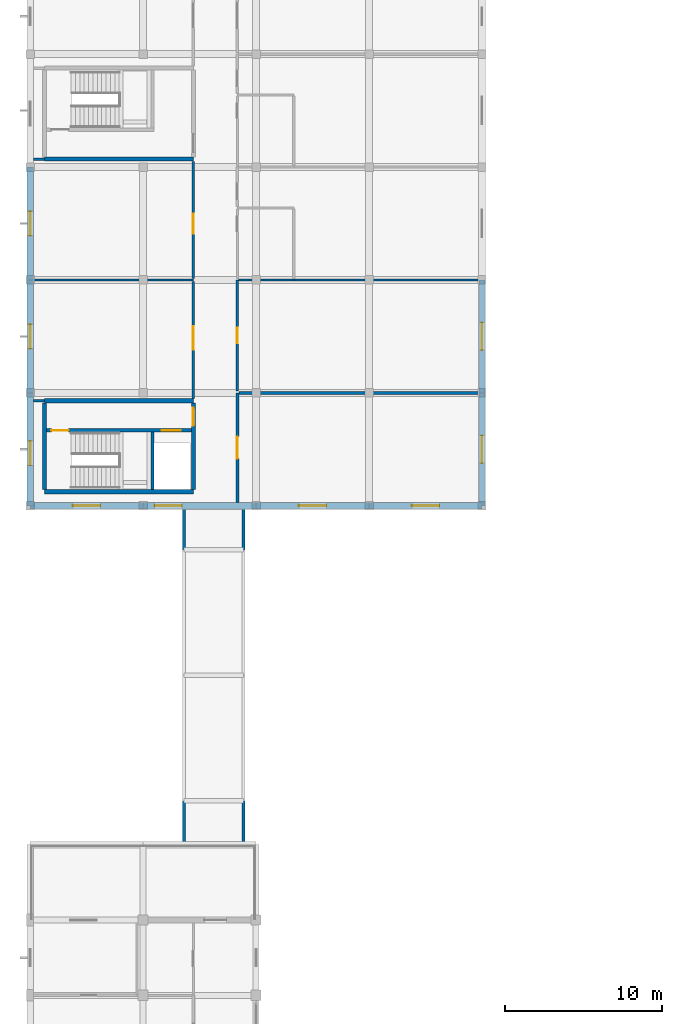
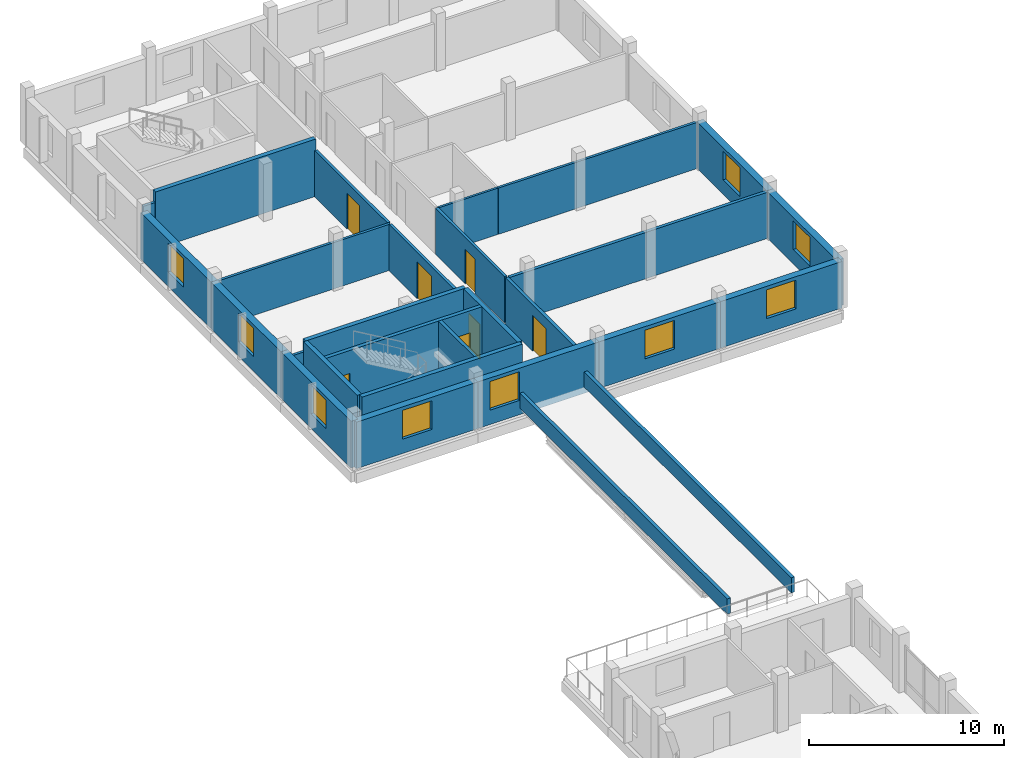
# One storey, part 78 of 93: 28 walls, 9 windows, 7 doors, 16 openings.
"""IFC4 building model written with IfcOpenShell, lengths in metres."""

from ifc_helpers import new_model, si_unit, direction, frame, frame_2d, origin, place, context, subcontext, project, spatial, rectangle, extrude, material, layer, layer_set, type_object, element, fill, save


model = new_model("IFC4")

# Units and contexts
model_context = context("Model", 3, precision=1e-05, world=origin(), true_north=direction((0.0, 1.0)))
body_context = subcontext(model_context, "Body", "Model", "MODEL_VIEW")
ifc_project = project(units=[si_unit("LENGTHUNIT", "METRE"), si_unit("AREAUNIT", "SQUARE_METRE"), si_unit("VOLUMEUNIT", "CUBIC_METRE"), si_unit("PLANEANGLEUNIT", "RADIAN"), si_unit("MASSUNIT", "GRAM", prefix="KILO")], contexts=[model_context])

# Site, building, storey
site_placement = place(None, origin())
site = spatial("IfcSite", under=ifc_project, at=site_placement, CompositionType="ELEMENT")
building_placement = place(site_placement, origin())
building = spatial("IfcBuilding", under=site, at=building_placement, Name="Zornivar Specialist Clinic", CompositionType="ELEMENT")
storey_placement = place(building_placement, frame((0.0, 0.0, 8.39990234375)))
storey = spatial("IfcBuildingStorey", under=building, at=storey_placement, Name="L02", CompositionType="ELEMENT", Elevation=8.39990234375)

# Wall, opening, window
ifc_material_1 = material(Name="Masonry Hygienic Insulated Procedure Wing Wall", Category="masonry")
ifc_layer_1 = layer(ifc_material_1, 0.39990234375)
ifc_layer_set_1 = layer_set([ifc_layer_1], Name="Masonry Hygienic Insulated Procedure Wing Wall")
wall_type_1 = type_object("IfcWallType", Name="EW-PROC-400", PredefinedType="SOLIDWALL", material=ifc_layer_set_1)
wall_1_placement = place(storey_placement, frame((0.0, 79.199951171875, 0.0), z_axis=(0.0, 0.0, 1.0), x_axis=(1.0, 0.0, 0.0)))
wall_1 = element("IfcWall", 1, at=wall_1_placement, inside=storey, type_object=wall_type_1, Name="ew:V5:L02:00", PredefinedType="SOLIDWALL", context=body_context, shape_type="SweptSolid", body=[
    extrude(rectangle(XDim=7.199951171875, YDim=0.39990234375, at=frame_2d((3.60009765625, 0.0))), origin(), (0.0, 0.0, 1.0), 2.920166015625),
])
opening_1_placement = place(wall_1_placement, frame((2.72509765625, 0.0, 0.89990234375)))
opening_1 = element("IfcOpeningElement", 2, at=opening_1_placement, cuts=wall_1, Name="Opening W-17", PredefinedType="OPENING", context=body_context, shape_type="SweptSolid", body=[
    extrude(rectangle(XDim=1.75, YDim=1.800048828125, at=frame_2d((0.875, 0.89990234375))), frame((0.0, 0.2099609375, 0.0), z_axis=(0.0, -1.0, 0.0), x_axis=(1.0, 0.0, 0.0)), (0.0, 0.0, 1.0), 0.419921875),
])
ifc_material_2 = material(Name="Triple-Glazed Aluminium-Timber Window Glass", Category="wood")
window_type_1 = type_object("IfcWindowType", Name="WIN-PROC-COURT-1750x1800", PartitioningType="SINGLE_PANEL", PredefinedType="WINDOW", material=ifc_material_2)
window_1_placement = place(opening_1_placement, origin())
window_1 = element("IfcWindow", 3, at=window_1_placement, inside=storey, type_object=window_type_1, Name="win:V5:L02:00", OverallHeight=1.800048828125, OverallWidth=1.75, PartitioningType="SINGLE_PANEL", PredefinedType="WINDOW", context=body_context, shape_type="SweptSolid", body=[
    extrude(rectangle(XDim=1.75, YDim=1.800048828125, at=frame_2d((0.875, 0.89990234375))), frame((0.0, 0.030029296875, 0.0), z_axis=(0.0, -1.0, 0.0), x_axis=(1.0, 0.0, 0.0)), (0.0, 0.0, 1.0), 0.06005859375),
])
fill(opening_1, window_1)

wall_2_placement = place(storey_placement, frame((7.199951171875, 79.199951171875, 0.0), z_axis=(0.0, 0.0, 1.0), x_axis=(1.0, 0.0, 0.0)))
wall_2 = element("IfcWall", 4, at=wall_2_placement, inside=storey, type_object=wall_type_1, Name="ew:V5:L02:01", PredefinedType="SOLIDWALL", context=body_context, shape_type="SweptSolid", body=[
    extrude(rectangle(XDim=7.199951171875, YDim=0.39990234375, at=frame_2d((3.60009765625, 0.0))), origin(), (0.0, 0.0, 1.0), 2.920166015625),
])
opening_2_placement = place(wall_2_placement, frame((0.72509765625, 0.0, 0.89990234375)))
opening_2 = element("IfcOpeningElement", 5, at=opening_2_placement, cuts=wall_2, Name="Opening W-17", PredefinedType="OPENING", context=body_context, shape_type="SweptSolid", body=[
    extrude(rectangle(XDim=1.75, YDim=1.800048828125, at=frame_2d((0.875, 0.89990234375))), frame((0.0, 0.2099609375, 0.0), z_axis=(0.0, -1.0, 0.0), x_axis=(1.0, 0.0, 0.0)), (0.0, 0.0, 1.0), 0.419921875),
])
window_2_placement = place(opening_2_placement, origin())
window_2 = element("IfcWindow", 6, at=window_2_placement, inside=storey, type_object=window_type_1, Name="win:V5:L02:01", OverallHeight=1.800048828125, OverallWidth=1.75, PartitioningType="SINGLE_PANEL", PredefinedType="WINDOW", context=body_context, shape_type="SweptSolid", body=[
    extrude(rectangle(XDim=1.75, YDim=1.800048828125, at=frame_2d((0.875, 0.89990234375))), frame((0.0, 0.030029296875, 0.0), z_axis=(0.0, -1.0, 0.0), x_axis=(1.0, 0.0, 0.0)), (0.0, 0.0, 1.0), 0.06005859375),
])
fill(opening_2, window_2)

wall_3_placement = place(storey_placement, frame((14.39990234375, 79.199951171875, 0.0), z_axis=(0.0, 0.0, 1.0), x_axis=(1.0, 0.0, 0.0)))
wall_3 = element("IfcWall", 7, at=wall_3_placement, inside=storey, type_object=wall_type_1, Name="ew:V5:L02:02", PredefinedType="SOLIDWALL", context=body_context, shape_type="SweptSolid", body=[
    extrude(rectangle(XDim=7.2001953125, YDim=0.39990234375, at=frame_2d((3.60009765625, 0.0))), origin(), (0.0, 0.0, 1.0), 2.920166015625),
])
opening_3_placement = place(wall_3_placement, frame((2.72509765625, 0.0, 0.89990234375)))
opening_3 = element("IfcOpeningElement", 8, at=opening_3_placement, cuts=wall_3, Name="Opening W-17", PredefinedType="OPENING", context=body_context, shape_type="SweptSolid", body=[
    extrude(rectangle(XDim=1.75, YDim=1.800048828125, at=frame_2d((0.875, 0.89990234375))), frame((0.0, 0.2099609375, 0.0), z_axis=(0.0, -1.0, 0.0), x_axis=(1.0, 0.0, 0.0)), (0.0, 0.0, 1.0), 0.419921875),
])
window_3_placement = place(opening_3_placement, origin())
window_3 = element("IfcWindow", 9, at=window_3_placement, inside=storey, type_object=window_type_1, Name="win:V5:L02:02", OverallHeight=1.800048828125, OverallWidth=1.75, PartitioningType="SINGLE_PANEL", PredefinedType="WINDOW", context=body_context, shape_type="SweptSolid", body=[
    extrude(rectangle(XDim=1.75, YDim=1.800048828125, at=frame_2d((0.875, 0.89990234375))), frame((0.0, 0.030029296875, 0.0), z_axis=(0.0, -1.0, 0.0), x_axis=(1.0, 0.0, 0.0)), (0.0, 0.0, 1.0), 0.06005859375),
])
fill(opening_3, window_3)

wall_4_placement = place(storey_placement, frame((21.60009765625, 79.199951171875, 0.0), z_axis=(0.0, 0.0, 1.0), x_axis=(1.0, 0.0, 0.0)))
wall_4 = element("IfcWall", 10, at=wall_4_placement, inside=storey, type_object=wall_type_1, Name="ew:V5:L02:03", PredefinedType="SOLIDWALL", context=body_context, shape_type="SweptSolid", body=[
    extrude(rectangle(XDim=7.199951171875, YDim=0.39990234375, at=frame_2d((3.60009765625, 0.0))), origin(), (0.0, 0.0, 1.0), 2.920166015625),
])
opening_4_placement = place(wall_4_placement, frame((2.72509765625, 0.0, 0.89990234375)))
opening_4 = element("IfcOpeningElement", 11, at=opening_4_placement, cuts=wall_4, Name="Opening W-17", PredefinedType="OPENING", context=body_context, shape_type="SweptSolid", body=[
    extrude(rectangle(XDim=1.75, YDim=1.800048828125, at=frame_2d((0.875, 0.89990234375))), frame((0.0, 0.2099609375, 0.0), z_axis=(0.0, -1.0, 0.0), x_axis=(1.0, 0.0, 0.0)), (0.0, 0.0, 1.0), 0.419921875),
])
window_4_placement = place(opening_4_placement, origin())
window_4 = element("IfcWindow", 12, at=window_4_placement, inside=storey, type_object=window_type_1, Name="win:V5:L02:03", OverallHeight=1.800048828125, OverallWidth=1.75, PartitioningType="SINGLE_PANEL", PredefinedType="WINDOW", context=body_context, shape_type="SweptSolid", body=[
    extrude(rectangle(XDim=1.75, YDim=1.800048828125, at=frame_2d((0.875, 0.89990234375))), frame((0.0, 0.030029296875, 0.0), z_axis=(0.0, -1.0, 0.0), x_axis=(1.0, 0.0, 0.0)), (0.0, 0.0, 1.0), 0.06005859375),
])
fill(opening_4, window_4)

wall_5_placement = place(storey_placement, frame((28.800048828125, 79.199951171875, 0.0), z_axis=(0.0, 0.0, 1.0), x_axis=(0.0, 1.0, 0.0)))
wall_5 = element("IfcWall", 13, at=wall_5_placement, inside=storey, type_object=wall_type_1, Name="ew:V5:L02:04", PredefinedType="SOLIDWALL", context=body_context, shape_type="SweptSolid", body=[
    extrude(rectangle(XDim=7.199951171875, YDim=0.39990234375, at=frame_2d((3.60009765625, 0.0))), origin(), (0.0, 0.0, 1.0), 2.920166015625),
])
opening_5_placement = place(wall_5_placement, frame((2.72509765625, 0.0, 0.89990234375)))
opening_5 = element("IfcOpeningElement", 14, at=opening_5_placement, cuts=wall_5, Name="Opening W-17", PredefinedType="OPENING", context=body_context, shape_type="SweptSolid", body=[
    extrude(rectangle(XDim=1.75, YDim=1.800048828125, at=frame_2d((0.875, 0.89990234375))), frame((0.0, 0.2099609375, 0.0), z_axis=(0.0, -1.0, 0.0), x_axis=(1.0, 0.0, 0.0)), (0.0, 0.0, 1.0), 0.419921875),
])
window_5_placement = place(opening_5_placement, origin())
window_5 = element("IfcWindow", 15, at=window_5_placement, inside=storey, type_object=window_type_1, Name="win:V5:L02:04", OverallHeight=1.800048828125, OverallWidth=1.75, PartitioningType="SINGLE_PANEL", PredefinedType="WINDOW", context=body_context, shape_type="SweptSolid", body=[
    extrude(rectangle(XDim=1.75, YDim=1.800048828125, at=frame_2d((0.875, 0.89990234375))), frame((0.0, 0.030029296875, 0.0), z_axis=(0.0, -1.0, 0.0), x_axis=(1.0, 0.0, 0.0)), (0.0, 0.0, 1.0), 0.06005859375),
])
fill(opening_5, window_5)

wall_6_placement = place(storey_placement, frame((28.800048828125, 86.39990234375, 0.0), z_axis=(0.0, 0.0, 1.0), x_axis=(0.0, 1.0, 0.0)))
wall_6 = element("IfcWall", 16, at=wall_6_placement, inside=storey, type_object=wall_type_1, Name="ew:V5:L02:05", PredefinedType="SOLIDWALL", context=body_context, shape_type="SweptSolid", body=[
    extrude(rectangle(XDim=7.2001953125, YDim=0.39990234375, at=frame_2d((3.60009765625, 0.0))), origin(), (0.0, 0.0, 1.0), 2.920166015625),
])
opening_6_placement = place(wall_6_placement, frame((2.72509765625, 0.0, 0.89990234375)))
opening_6 = element("IfcOpeningElement", 17, at=opening_6_placement, cuts=wall_6, Name="Opening W-17", PredefinedType="OPENING", context=body_context, shape_type="SweptSolid", body=[
    extrude(rectangle(XDim=1.75, YDim=1.800048828125, at=frame_2d((0.875, 0.89990234375))), frame((0.0, 0.2099609375, 0.0), z_axis=(0.0, -1.0, 0.0), x_axis=(1.0, 0.0, 0.0)), (0.0, 0.0, 1.0), 0.419921875),
])
window_6_placement = place(opening_6_placement, origin())
window_6 = element("IfcWindow", 18, at=window_6_placement, inside=storey, type_object=window_type_1, Name="win:V5:L02:05", OverallHeight=1.800048828125, OverallWidth=1.75, PartitioningType="SINGLE_PANEL", PredefinedType="WINDOW", context=body_context, shape_type="SweptSolid", body=[
    extrude(rectangle(XDim=1.75, YDim=1.800048828125, at=frame_2d((0.875, 0.89990234375))), frame((0.0, 0.030029296875, 0.0), z_axis=(0.0, -1.0, 0.0), x_axis=(1.0, 0.0, 0.0)), (0.0, 0.0, 1.0), 0.06005859375),
])
fill(opening_6, window_6)

wall_7_placement = place(storey_placement, frame((0.0, 100.800048828125, 0.0), z_axis=(0.0, 0.0, 1.0), x_axis=(0.0, -1.0, 0.0)))
wall_7 = element("IfcWall", 19, at=wall_7_placement, inside=storey, type_object=wall_type_1, Name="ew:V5:L02:15", PredefinedType="SOLIDWALL", context=body_context, shape_type="SweptSolid", body=[
    extrude(rectangle(XDim=7.199951171875, YDim=0.39990234375, at=frame_2d((3.60009765625, 0.0))), origin(), (0.0, 0.0, 1.0), 2.920166015625),
])
opening_7_placement = place(wall_7_placement, frame((2.824951171875, 0.0, 0.89990234375)))
opening_7 = element("IfcOpeningElement", 20, at=opening_7_placement, cuts=wall_7, Name="Opening W-16", PredefinedType="OPENING", context=body_context, shape_type="SweptSolid", body=[
    extrude(rectangle(XDim=1.550048828125, YDim=1.800048828125, at=frame_2d((0.77490234375, 0.89990234375))), frame((0.0, 0.2099609375, 0.0), z_axis=(0.0, -1.0, 0.0), x_axis=(1.0, 0.0, 0.0)), (0.0, 0.0, 1.0), 0.419921875),
])
ifc_material_3 = material(Name="Triple-Glazed Aluminium-Timber Window Glass", Category="wood")
window_type_2 = type_object("IfcWindowType", Name="WIN-PROC-WEST-1550x1800", PartitioningType="SINGLE_PANEL", PredefinedType="WINDOW", material=ifc_material_3)
window_7_placement = place(opening_7_placement, origin())
window_7 = element("IfcWindow", 21, at=window_7_placement, inside=storey, type_object=window_type_2, Name="win:V5:L02:15", OverallHeight=1.800048828125, OverallWidth=1.550048828125, PartitioningType="SINGLE_PANEL", PredefinedType="WINDOW", context=body_context, shape_type="SweptSolid", body=[
    extrude(rectangle(XDim=1.550048828125, YDim=1.800048828125, at=frame_2d((0.77490234375, 0.89990234375))), frame((0.0, 0.030029296875, 0.0), z_axis=(0.0, -1.0, 0.0), x_axis=(1.0, 0.0, 0.0)), (0.0, 0.0, 1.0), 0.06005859375),
])
fill(opening_7, window_7)

wall_8_placement = place(storey_placement, frame((0.0, 93.60009765625, 0.0), z_axis=(0.0, 0.0, 1.0), x_axis=(0.0, -1.0, 0.0)))
wall_8 = element("IfcWall", 22, at=wall_8_placement, inside=storey, type_object=wall_type_1, Name="ew:V5:L02:16", PredefinedType="SOLIDWALL", context=body_context, shape_type="SweptSolid", body=[
    extrude(rectangle(XDim=7.2001953125, YDim=0.39990234375, at=frame_2d((3.60009765625, 0.0))), origin(), (0.0, 0.0, 1.0), 2.920166015625),
])
opening_8_placement = place(wall_8_placement, frame((2.824951171875, 0.0, 0.89990234375)))
opening_8 = element("IfcOpeningElement", 23, at=opening_8_placement, cuts=wall_8, Name="Opening W-16", PredefinedType="OPENING", context=body_context, shape_type="SweptSolid", body=[
    extrude(rectangle(XDim=1.550048828125, YDim=1.800048828125, at=frame_2d((0.77490234375, 0.89990234375))), frame((0.0, 0.2099609375, 0.0), z_axis=(0.0, -1.0, 0.0), x_axis=(1.0, 0.0, 0.0)), (0.0, 0.0, 1.0), 0.419921875),
])
window_8_placement = place(opening_8_placement, origin())
window_8 = element("IfcWindow", 24, at=window_8_placement, inside=storey, type_object=window_type_2, Name="win:V5:L02:16", OverallHeight=1.800048828125, OverallWidth=1.550048828125, PartitioningType="SINGLE_PANEL", PredefinedType="WINDOW", context=body_context, shape_type="SweptSolid", body=[
    extrude(rectangle(XDim=1.550048828125, YDim=1.800048828125, at=frame_2d((0.77490234375, 0.89990234375))), frame((0.0, 0.030029296875, 0.0), z_axis=(0.0, -1.0, 0.0), x_axis=(1.0, 0.0, 0.0)), (0.0, 0.0, 1.0), 0.06005859375),
])
fill(opening_8, window_8)

wall_9_placement = place(storey_placement, frame((0.0, 86.39990234375, 0.0), z_axis=(0.0, 0.0, 1.0), x_axis=(0.0, -1.0, 0.0)))
wall_9 = element("IfcWall", 25, at=wall_9_placement, inside=storey, type_object=wall_type_1, Name="ew:V5:L02:17", PredefinedType="SOLIDWALL", context=body_context, shape_type="SweptSolid", body=[
    extrude(rectangle(XDim=7.199951171875, YDim=0.39990234375, at=frame_2d((3.60009765625, 0.0))), origin(), (0.0, 0.0, 1.0), 2.920166015625),
])
opening_9_placement = place(wall_9_placement, frame((3.074951171875, 0.0, 0.89990234375)))
opening_9 = element("IfcOpeningElement", 26, at=opening_9_placement, cuts=wall_9, Name="Opening W-16", PredefinedType="OPENING", context=body_context, shape_type="SweptSolid", body=[
    extrude(rectangle(XDim=1.550048828125, YDim=1.800048828125, at=frame_2d((0.77490234375, 0.89990234375))), frame((0.0, 0.2099609375, 0.0), z_axis=(0.0, -1.0, 0.0), x_axis=(1.0, 0.0, 0.0)), (0.0, 0.0, 1.0), 0.419921875),
])
window_9_placement = place(opening_9_placement, origin())
window_9 = element("IfcWindow", 27, at=window_9_placement, inside=storey, type_object=window_type_2, Name="win:V5:L02:17", OverallHeight=1.800048828125, OverallWidth=1.550048828125, PartitioningType="SINGLE_PANEL", PredefinedType="WINDOW", context=body_context, shape_type="SweptSolid", body=[
    extrude(rectangle(XDim=1.550048828125, YDim=1.800048828125, at=frame_2d((0.77490234375, 0.89990234375))), frame((0.0, 0.030029296875, 0.0), z_axis=(0.0, -1.0, 0.0), x_axis=(1.0, 0.0, 0.0)), (0.0, 0.0, 1.0), 0.06005859375),
])
fill(opening_9, window_9)

# Wall, opening, door
ifc_material_4 = material(Name="Gypsum Fire-Rated Double Stud Partition")
ifc_layer_2 = layer(ifc_material_4, 0.159912109375)
ifc_layer_set_2 = layer_set([ifc_layer_2], Name="Gypsum Fire-Rated Double Stud Partition")
wall_type_2 = type_object("IfcWallType", Name="IW-CORR-EI60-160", PredefinedType="PARTITIONING", material=ifc_layer_set_2)
wall_10_placement = place(storey_placement, frame((10.39990234375, 93.510986328125, 0.0), z_axis=(0.0, 0.0, 1.0), x_axis=(0.0, -1.0, 0.0)))
wall_10 = element("IfcWall", 28, at=wall_10_placement, inside=storey, type_object=wall_type_2, Name="iw:L02:110", PredefinedType="PARTITIONING", context=body_context, shape_type="SweptSolid", body=[
    extrude(rectangle(XDim=7.466064453125, YDim=0.159912109375, at=frame_2d((3.73291015625, 0.0))), origin(), (0.0, 0.0, 1.0), 2.900146484375),
])
opening_10_placement = place(wall_10_placement, frame((2.864013671875, 0.0, 0.0)))
opening_10 = element("IfcOpeningElement", 29, at=opening_10_placement, cuts=wall_10, Name="Opening ID-01", PredefinedType="OPENING", context=body_context, shape_type="SweptSolid", body=[
    extrude(rectangle(XDim=1.5, YDim=2.300048828125, at=frame_2d((0.75, 1.14990234375))), frame((0.0, 0.08984375, 0.0), z_axis=(0.0, -1.0, 0.0), x_axis=(1.0, 0.0, 0.0)), (0.0, 0.0, 1.0), 0.179931640625),
])
ifc_material_5 = material(Name="Solid-Core Hygienic Laminate Timber Door", Category="wood")
door_type_1 = type_object("IfcDoorType", Name="ID-OR-SUITE-1500x2300", OperationType="NOTDEFINED", PredefinedType="DOOR", material=ifc_material_5)
door_1_placement = place(opening_10_placement, origin())
door_1 = element("IfcDoor", 30, at=door_1_placement, inside=storey, type_object=door_type_1, Name="door:space:V5:L02:rm:00", OperationType="DOUBLE_DOOR_SINGLE_SWING", OverallHeight=2.300048828125, OverallWidth=1.5, PredefinedType="DOOR", context=body_context, shape_type="SweptSolid", body=[
    extrude(rectangle(XDim=1.5, YDim=2.300048828125, at=frame_2d((0.75, 1.14990234375))), frame((0.0, 0.02490234375, 0.0), z_axis=(0.0, -1.0, 0.0), x_axis=(1.0, 0.0, 0.0)), (0.0, 0.0, 1.0), 0.050048828125),
])
fill(opening_10, door_1)

wall_11_placement = place(storey_placement, frame((10.39990234375, 101.155029296875, 0.0), z_axis=(0.0, 0.0, 1.0), x_axis=(0.0, -1.0, 0.0)))
wall_11 = element("IfcWall", 31, at=wall_11_placement, inside=storey, type_object=wall_type_2, Name="iw:L02:113", PredefinedType="PARTITIONING", context=body_context, shape_type="SweptSolid", body=[
    extrude(rectangle(XDim=7.466064453125, YDim=0.159912109375, at=frame_2d((3.73291015625, 0.0))), origin(), (0.0, 0.0, 1.0), 2.900146484375),
])
opening_11_placement = place(wall_11_placement, frame((3.320068359375, 0.0, 0.0)))
opening_11 = element("IfcOpeningElement", 32, at=opening_11_placement, cuts=wall_11, Name="Opening ID-13", PredefinedType="OPENING", context=body_context, shape_type="SweptSolid", body=[
    extrude(rectangle(XDim=1.300048828125, YDim=2.25, at=frame_2d((0.64990234375, 1.125))), frame((0.0, 0.08984375, 0.0), z_axis=(0.0, -1.0, 0.0), x_axis=(1.0, 0.0, 0.0)), (0.0, 0.0, 1.0), 0.179931640625),
])
ifc_material_6 = material(Name="Solid-Core Hygienic Laminate Timber Door", Category="wood")
door_type_2 = type_object("IfcDoorType", Name="ID-RECOV-1300x2250", OperationType="NOTDEFINED", PredefinedType="DOOR", material=ifc_material_6)
door_2_placement = place(opening_11_placement, origin())
door_2 = element("IfcDoor", 33, at=door_2_placement, inside=storey, type_object=door_type_2, Name="door:space:V5:L02:rm:01", OperationType="SINGLE_SWING_LEFT", OverallHeight=2.25, OverallWidth=1.300048828125, PredefinedType="DOOR", context=body_context, shape_type="SweptSolid", body=[
    extrude(rectangle(XDim=1.300048828125, YDim=2.25, at=frame_2d((0.64990234375, 1.125))), frame((0.0, 0.02490234375, 0.0), z_axis=(0.0, -1.0, 0.0), x_axis=(1.0, 0.0, 0.0)), (0.0, 0.0, 1.0), 0.050048828125),
])
fill(opening_11, door_2)

wall_12_placement = place(storey_placement, frame((13.199951171875, 86.509033203125, 0.0), z_axis=(0.0, 0.0, 1.0), x_axis=(0.0, 1.0, 0.0)))
wall_12 = element("IfcWall", 34, at=wall_12_placement, inside=storey, type_object=wall_type_2, Name="iw:L02:118", PredefinedType="PARTITIONING", context=body_context, shape_type="SweptSolid", body=[
    extrude(rectangle(XDim=7.091064453125, YDim=0.159912109375, at=frame_2d((3.54541015625, 0.0))), origin(), (0.0, 0.0, 1.0), 2.900146484375),
])
opening_12_placement = place(wall_12_placement, frame((3.054931640625, 0.0, 0.0)))
opening_12 = element("IfcOpeningElement", 35, at=opening_12_placement, cuts=wall_12, Name="Opening ID-09", PredefinedType="OPENING", context=body_context, shape_type="SweptSolid", body=[
    extrude(rectangle(XDim=0.97998046875, YDim=2.14990234375, at=frame_2d((0.489990234375, 1.074951171875))), frame((0.0, 0.08984375, 0.0), z_axis=(0.0, -1.0, 0.0), x_axis=(1.0, 0.0, 0.0)), (0.0, 0.0, 1.0), 0.179931640625),
])
ifc_material_7 = material(Name="Solid-Core Hygienic Laminate Timber Door", Category="wood")
door_type_3 = type_object("IfcDoorType", Name="ID-STAFF-0980x2150", OperationType="NOTDEFINED", PredefinedType="DOOR", material=ifc_material_7)
door_3_placement = place(opening_12_placement, origin())
door_3 = element("IfcDoor", 36, at=door_3_placement, inside=storey, type_object=door_type_3, Name="door:space:V5:L02:rm:04", OperationType="SINGLE_SWING_RIGHT", OverallHeight=2.14990234375, OverallWidth=0.97998046875, PredefinedType="DOOR", context=body_context, shape_type="SweptSolid", body=[
    extrude(rectangle(XDim=0.97998046875, YDim=2.14990234375, at=frame_2d((0.489990234375, 1.074951171875))), frame((0.0, 0.02490234375, 0.0), z_axis=(0.0, -1.0, 0.0), x_axis=(1.0, 0.0, 0.0)), (0.0, 0.0, 1.0), 0.050048828125),
])
fill(opening_12, door_3)

ifc_material_8 = material(Name="GMP Cleanroom Insulated Double Partition")
ifc_layer_3 = layer(ifc_material_8, 0.18994140625)
ifc_layer_set_3 = layer_set([ifc_layer_3], Name="GMP Cleanroom Insulated Double Partition")
wall_type_3 = type_object("IfcWallType", Name="IW-PHARM-GMP-190", PredefinedType="PARTITIONING", material=ifc_layer_set_3)
wall_13_placement = place(storey_placement, frame((13.199951171875, 79.4150390625, 0.0), z_axis=(0.0, 0.0, 1.0), x_axis=(0.0, 1.0, 0.0)))
wall_13 = element("IfcWall", 37, at=wall_13_placement, inside=storey, type_object=wall_type_3, Name="iw:L02:116", PredefinedType="PARTITIONING", context=body_context, shape_type="SweptSolid", body=[
    extrude(rectangle(XDim=6.98486328125, YDim=0.18994140625, at=frame_2d((3.492431640625, 0.0))), origin(), (0.0, 0.0, 1.0), 2.900146484375),
])
opening_13_placement = place(wall_13_placement, frame((2.7919921875, 0.0, 0.0)))
opening_13 = element("IfcOpeningElement", 38, at=opening_13_placement, cuts=wall_13, Name="Opening FD-04", PredefinedType="OPENING", context=body_context, shape_type="SweptSolid", body=[
    extrude(rectangle(XDim=1.39990234375, YDim=2.25, at=frame_2d((0.699951171875, 1.125))), frame((0.0, 0.10498046875, 0.0), z_axis=(0.0, -1.0, 0.0), x_axis=(1.0, 0.0, 0.0)), (0.0, 0.0, 1.0), 0.2099609375),
])
ifc_material_9 = material(Name="Solid-Core Hygienic Laminate Timber Door", Category="wood")
door_type_4 = type_object("IfcDoorType", Name="FD-STERILE-1400x2250", OperationType="NOTDEFINED", PredefinedType="DOOR", material=ifc_material_9)
door_4_placement = place(opening_13_placement, origin())
door_4 = element("IfcDoor", 39, at=door_4_placement, inside=storey, type_object=door_type_4, Name="door:space:V5:L02:rm:03", OperationType="DOUBLE_DOOR_SINGLE_SWING", OverallHeight=2.25, OverallWidth=1.39990234375, PredefinedType="DOOR", context=body_context, shape_type="SweptSolid", body=[
    extrude(rectangle(XDim=1.39990234375, YDim=2.25, at=frame_2d((0.699951171875, 1.125))), frame((0.0, 0.02490234375, 0.0), z_axis=(0.0, -1.0, 0.0), x_axis=(1.0, 0.0, 0.0)), (0.0, 0.0, 1.0), 0.050048828125),
])
fill(opening_13, door_4)

# Walls
wall_14_placement = place(storey_placement, frame((13.30908203125, 86.39990234375, 0.0), z_axis=(0.0, 0.0, 1.0), x_axis=(1.0, 0.0, 0.0)))
element("IfcWall", 40, at=wall_14_placement, inside=storey, type_object=wall_type_3, Name="iw:L02:117", PredefinedType="PARTITIONING", context=body_context, shape_type="SweptSolid", body=[
    extrude(rectangle(XDim=15.27587890625, YDim=0.18994140625, at=frame_2d((7.637939453125, 0.0))), origin(), (0.0, 0.0, 1.0), 2.900146484375),
])
ifc_material_10 = material(Name="Hygienic Lead-Free Procedure Partition")
ifc_layer_4 = layer(ifc_material_10, 0.14990234375)
ifc_layer_set_4 = layer_set([ifc_layer_4], Name="Hygienic Lead-Free Procedure Partition")
wall_type_4 = type_object("IfcWallType", Name="IW-PROC-150", PredefinedType="PARTITIONING", material=ifc_layer_set_4)
wall_15_placement = place(storey_placement, frame((0.215087890625, 93.60009765625, 0.0), z_axis=(0.0, 0.0, 1.0), x_axis=(1.0, 0.0, 0.0)))
element("IfcWall", 41, at=wall_15_placement, inside=storey, type_object=wall_type_4, Name="iw:L02:109", PredefinedType="PARTITIONING", context=body_context, shape_type="SweptSolid", body=[
    extrude(rectangle(XDim=10.184814453125, YDim=0.14990234375, at=frame_2d((5.09228515625, 0.0))), origin(), (0.0, 0.0, 1.0), 2.900146484375),
])
for number, where, z_axis, x_axis, name in (
    (42, (0.89990234375, 85.89990234375, 0.0), (0.0, 0.0, 1.0), (-1.0, 0.0, 0.0), "iw:L02:111"),
    (43, (0.215087890625, 101.300048828125, 0.0), (0.0, 0.0, 1.0), (1.0, 0.0, 0.0), "iw:L02:112"),
):
    element("IfcWall", number, at=place(storey_placement, frame(where, z_axis=z_axis, x_axis=x_axis)), inside=storey, type_object=wall_type_4, Name=name, PredefinedType="PARTITIONING", context=body_context, shape_type="SweptSolid", body=[
        extrude(rectangle(XDim=0.684814453125, YDim=0.14990234375, at=frame_2d((0.34228515625, 0.0))), origin(), (0.0, 0.0, 1.0), 2.900146484375),
    ])
wall_16_placement = place(storey_placement, frame((16.81201171875, 93.60009765625, 0.0), z_axis=(0.0, 0.0, 1.0), x_axis=(1.0, 0.0, 0.0)))
element("IfcWall", 44, at=wall_16_placement, inside=storey, type_object=wall_type_4, Name="iw:L02:120", PredefinedType="PARTITIONING", context=body_context, shape_type="SweptSolid", body=[
    extrude(rectangle(XDim=11.77294921875, YDim=0.14990234375, at=frame_2d((5.886474609375, 0.0))), origin(), (0.0, 0.0, 1.0), 2.900146484375),
])
ifc_material_11 = material(Name="Moisture-Resistant Sanitary Partition")
ifc_layer_5 = layer(ifc_material_11, 0.1298828125)
ifc_layer_set_5 = layer_set([ifc_layer_5], Name="Moisture-Resistant Sanitary Partition")
wall_type_5 = type_object("IfcWallType", Name="IW-WET-130", PredefinedType="PARTITIONING", material=ifc_layer_set_5)
wall_17_placement = place(storey_placement, frame((13.2939453125, 93.60009765625, 0.0), z_axis=(0.0, 0.0, 1.0), x_axis=(1.0, 0.0, 0.0)))
element("IfcWall", 45, at=wall_17_placement, inside=storey, type_object=wall_type_5, Name="iw:L02:119", PredefinedType="PARTITIONING", context=body_context, shape_type="SweptSolid", body=[
    extrude(rectangle(XDim=3.506103515625, YDim=0.1298828125, at=frame_2d((1.7529296875, 0.0))), origin(), (0.0, 0.0, 1.0), 2.900146484375),
])
ifc_material_12 = material(Name="Masonry Zinc-Capped Bridge Parapet", Category="masonry")
ifc_layer_6 = layer(ifc_material_12, 0.199951171875)
ifc_layer_set_6 = layer_set([ifc_layer_6], Name="Masonry Zinc-Capped Bridge Parapet")
wall_type_6 = type_object("IfcWallType", Name="PW-PARAPET-200", PredefinedType="PARAPET", material=ifc_layer_set_6)
for number, where, z_axis, x_axis, name in (
    (46, (13.60009765625, 57.719970703125, 0.400146484375), (0.0, 0.0, 1.0), (0.0, 1.0, 0.0), "pw:BR2:L02:1"),
    (47, (9.800048828125, 79.080078125, 0.400146484375), (0.0, 0.0, 1.0), (0.0, -1.0, 0.0), "pw:BR2:L02:3"),
):
    element("IfcWall", number, at=place(storey_placement, frame(where, z_axis=z_axis, x_axis=x_axis)), inside=storey, type_object=wall_type_6, Name=name, PredefinedType="PARAPET", context=body_context, shape_type="SweptSolid", body=[
        extrude(rectangle(XDim=21.360107421875, YDim=0.199951171875, at=frame_2d((10.68017578125, 0.0))), origin(), (0.0, 0.0, 1.0), 0.949951171875),
    ])
ifc_material_13 = material(Name="Concrete C35/45", Category="concrete")
ifc_layer_7 = layer(ifc_material_13, 0.260009765625)
ifc_layer_set_7 = layer_set([ifc_layer_7], Name="Concrete C35/45")
wall_type_7 = type_object("IfcWallType", Name="SW-CORE-260", PredefinedType="SHEAR", material=ifc_layer_set_7)
wall_18_placement = place(storey_placement, frame((0.89990234375, 80.10009765625, 0.0), z_axis=(0.0, 0.0, 1.0), x_axis=(1.0, 0.0, 0.0)))
element("IfcWall", 48, at=wall_18_placement, inside=storey, type_object=wall_type_7, Name="sw:C7:L02:w0", PredefinedType="SHEAR", context=body_context, shape_type="SweptSolid", body=[
    extrude(rectangle(XDim=9.5, YDim=0.260009765625, at=frame_2d((4.75, 0.0))), origin(), (0.0, 0.0, 1.0), 3.590087890625),
])

# Wall, opening, door
wall_19_placement = place(storey_placement, frame((10.39990234375, 80.22998046875, 0.0), z_axis=(0.0, 0.0, 1.0), x_axis=(0.0, 1.0, 0.0)))
wall_19 = element("IfcWall", 49, at=wall_19_placement, inside=storey, type_object=wall_type_7, Name="sw:C7:L02:w1", PredefinedType="SHEAR", context=body_context, shape_type="SweptSolid", body=[
    extrude(rectangle(XDim=5.5400390625, YDim=0.260009765625, at=frame_2d((2.77001953125, 0.0))), origin(), (0.0, 0.0, 1.0), 3.590087890625),
])
opening_14_placement = place(wall_19_placement, frame((4.070068359375, 0.0, 0.0)))
opening_14 = element("IfcOpeningElement", 50, at=opening_14_placement, cuts=wall_19, Name="Opening FD-03", PredefinedType="OPENING", context=body_context, shape_type="SweptSolid", body=[
    extrude(rectangle(XDim=1.14990234375, YDim=2.199951171875, at=frame_2d((0.574951171875, 1.10009765625))), frame((0.0, 0.139892578125, 0.0), z_axis=(0.0, -1.0, 0.0), x_axis=(1.0, 0.0, 0.0)), (0.0, 0.0, 1.0), 0.280029296875),
])
ifc_material_14 = material(Name="Solid-Core Hygienic Laminate Timber Door", Category="wood")
door_type_5 = type_object("IfcDoorType", Name="FD-LOBBY-UPPER-1150x2200", OperationType="NOTDEFINED", PredefinedType="DOOR", material=ifc_material_14)
door_5_placement = place(opening_14_placement, origin())
door_5 = element("IfcDoor", 51, at=door_5_placement, inside=storey, type_object=door_type_5, Name="door:C7:L02:lob", OperationType="SINGLE_SWING_RIGHT", OverallHeight=2.199951171875, OverallWidth=1.14990234375, PredefinedType="DOOR", context=body_context, shape_type="SweptSolid", body=[
    extrude(rectangle(XDim=1.14990234375, YDim=2.199951171875, at=frame_2d((0.574951171875, 1.10009765625))), frame((0.0, 0.02490234375, 0.0), z_axis=(0.0, -1.0, 0.0), x_axis=(1.0, 0.0, 0.0)), (0.0, 0.0, 1.0), 0.050048828125),
])
fill(opening_14, door_5)

# Walls
wall_20_placement = place(storey_placement, frame((10.39990234375, 85.89990234375, 0.0), z_axis=(0.0, 0.0, 1.0), x_axis=(-1.0, 0.0, 0.0)))
element("IfcWall", 52, at=wall_20_placement, inside=storey, type_object=wall_type_7, Name="sw:C7:L02:w2", PredefinedType="SHEAR", context=body_context, shape_type="SweptSolid", body=[
    extrude(rectangle(XDim=9.5, YDim=0.260009765625, at=frame_2d((4.75, 0.0))), origin(), (0.0, 0.0, 1.0), 3.590087890625),
])
wall_21_placement = place(storey_placement, frame((0.89990234375, 85.77001953125, 0.0), z_axis=(0.0, 0.0, 1.0), x_axis=(0.0, -1.0, 0.0)))
element("IfcWall", 53, at=wall_21_placement, inside=storey, type_object=wall_type_7, Name="sw:C7:L02:w3", PredefinedType="SHEAR", context=body_context, shape_type="SweptSolid", body=[
    extrude(rectangle(XDim=5.5400390625, YDim=0.260009765625, at=frame_2d((2.77001953125, 0.0))), origin(), (0.0, 0.0, 1.0), 3.590087890625),
])
wall_22_placement = place(storey_placement, frame((0.89990234375, 101.300048828125, 0.0), z_axis=(0.0, 0.0, 1.0), x_axis=(1.0, 0.0, 0.0)))
element("IfcWall", 54, at=wall_22_placement, inside=storey, type_object=wall_type_7, Name="sw:C8:L02:w0", PredefinedType="SHEAR", context=body_context, shape_type="SweptSolid", body=[
    extrude(rectangle(XDim=9.5, YDim=0.260009765625, at=frame_2d((4.75, 0.0))), origin(), (0.0, 0.0, 1.0), 3.590087890625),
])
ifc_material_15 = material(Name="Concrete C30/37", Category="concrete")
ifc_layer_8 = layer(ifc_material_15, 0.199951171875)
ifc_layer_set_8 = layer_set([ifc_layer_8], Name="Concrete C30/37")
wall_type_8 = type_object("IfcWallType", Name="SW-LIFT-200", PredefinedType="SHEAR", material=ifc_layer_set_8)
wall_23_placement = place(storey_placement, frame((7.800048828125, 80.22998046875, 0.0), z_axis=(0.0, 0.0, 1.0), x_axis=(0.0, 1.0, 0.0)))
element("IfcWall", 55, at=wall_23_placement, inside=storey, type_object=wall_type_8, Name="sw:C7:L02:sdiv", PredefinedType="SHEAR", context=body_context, shape_type="SweptSolid", body=[
    extrude(rectangle(XDim=3.669921875, YDim=0.199951171875, at=frame_2d((1.8349609375, 0.0))), origin(), (0.0, 0.0, 1.0), 3.590087890625),
])

# Wall, openings, doors
ifc_material_16 = material(Name="Concrete C30/37", Category="concrete")
ifc_layer_9 = layer(ifc_material_16, 0.219970703125)
ifc_layer_set_9 = layer_set([ifc_layer_9], Name="Concrete C30/37")
wall_type_9 = type_object("IfcWallType", Name="SW-SHAFT-220", PredefinedType="SHEAR", material=ifc_layer_set_9)
wall_24_placement = place(storey_placement, frame((1.030029296875, 84.010009765625, 0.0), z_axis=(0.0, 0.0, 1.0), x_axis=(1.0, 0.0, 0.0)))
wall_24 = element("IfcWall", 56, at=wall_24_placement, inside=storey, type_object=wall_type_9, Name="sw:C7:L02:stwall", PredefinedType="SHEAR", context=body_context, shape_type="SweptSolid", body=[
    extrude(rectangle(XDim=9.239990234375, YDim=0.219970703125, at=frame_2d((4.6201171875, 0.0))), origin(), (0.0, 0.0, 1.0), 3.590087890625),
])
opening_15_placement = place(wall_24_placement, frame((0.320068359375, 0.0, 0.0)))
opening_15 = element("IfcOpeningElement", 57, at=opening_15_placement, cuts=wall_24, Name="Opening FD-02", PredefinedType="OPENING", context=body_context, shape_type="SweptSolid", body=[
    extrude(rectangle(XDim=1.10009765625, YDim=2.14990234375, at=frame_2d((0.550048828125, 1.074951171875))), frame((0.0, 0.119873046875, 0.0), z_axis=(0.0, -1.0, 0.0), x_axis=(1.0, 0.0, 0.0)), (0.0, 0.0, 1.0), 0.239990234375),
])
opening_16_placement = place(wall_24_placement, frame((7.3701171875, 0.0, 0.0)))
opening_16 = element("IfcOpeningElement", 58, at=opening_16_placement, cuts=wall_24, Name="Opening LD-01", PredefinedType="OPENING", context=body_context, shape_type="SweptSolid", body=[
    extrude(rectangle(XDim=1.199951171875, YDim=2.199951171875, at=frame_2d((0.60009765625, 1.10009765625))), frame((0.0, 0.119873046875, 0.0), z_axis=(0.0, -1.0, 0.0), x_axis=(1.0, 0.0, 0.0)), (0.0, 0.0, 1.0), 0.239990234375),
])
ifc_material_17 = material(Name="Solid-Core Hygienic Laminate Timber Door", Category="wood")
door_type_6 = type_object("IfcDoorType", Name="FD-STAIR-1100x2150", OperationType="NOTDEFINED", PredefinedType="DOOR", material=ifc_material_17)
door_6_placement = place(opening_15_placement, origin())
door_6 = element("IfcDoor", 59, at=door_6_placement, inside=storey, type_object=door_type_6, Name="door:C7:L02:stair", OperationType="SINGLE_SWING_LEFT", OverallHeight=2.14990234375, OverallWidth=1.10009765625, PredefinedType="DOOR", context=body_context, shape_type="SweptSolid", body=[
    extrude(rectangle(XDim=1.10009765625, YDim=2.14990234375, at=frame_2d((0.550048828125, 1.074951171875))), frame((0.0, 0.02490234375, 0.0), z_axis=(0.0, -1.0, 0.0), x_axis=(1.0, 0.0, 0.0)), (0.0, 0.0, 1.0), 0.050048828125),
])
fill(opening_15, door_6)
ifc_material_18 = material(Name="Stainless Steel Lift Landing Sliding Door", Category="steel")
door_type_7 = type_object("IfcDoorType", Name="LD-LIFT-1200x2200", OperationType="NOTDEFINED", PredefinedType="DOOR", material=ifc_material_18)
door_7_placement = place(opening_16_placement, origin())
door_7 = element("IfcDoor", 60, at=door_7_placement, inside=storey, type_object=door_type_7, Name="door:C7:L02:lift", OperationType="DOUBLE_DOOR_SLIDING", OverallHeight=2.199951171875, OverallWidth=1.199951171875, PredefinedType="DOOR", context=body_context, shape_type="SweptSolid", body=[
    extrude(rectangle(XDim=1.199951171875, YDim=2.199951171875, at=frame_2d((0.60009765625, 1.10009765625))), frame((0.0, 0.02490234375, 0.0), z_axis=(0.0, -1.0, 0.0), x_axis=(1.0, 0.0, 0.0)), (0.0, 0.0, 1.0), 0.050048828125),
])
fill(opening_16, door_7)

save(model, "model.ifc")
